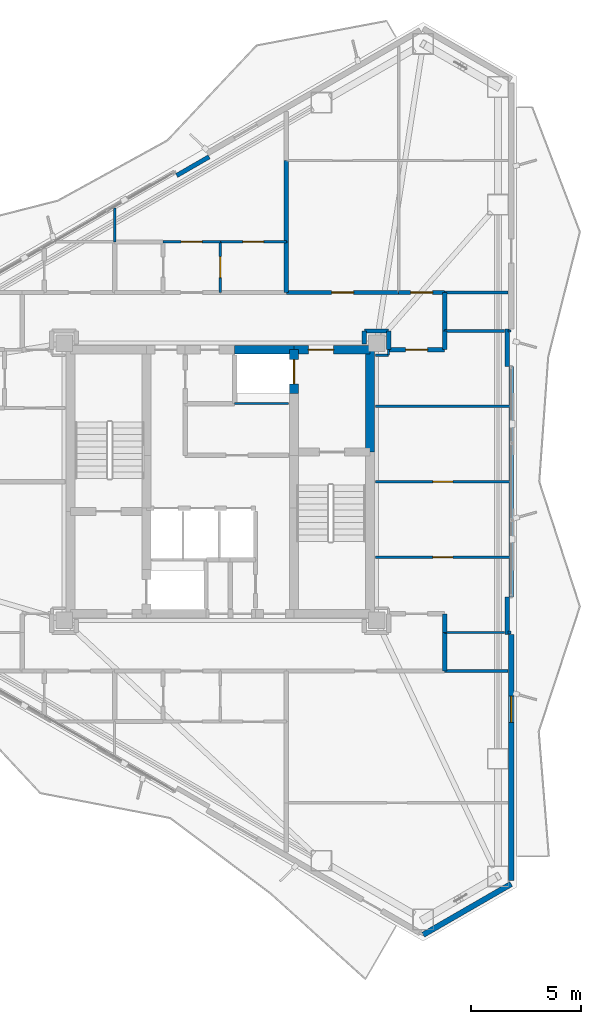
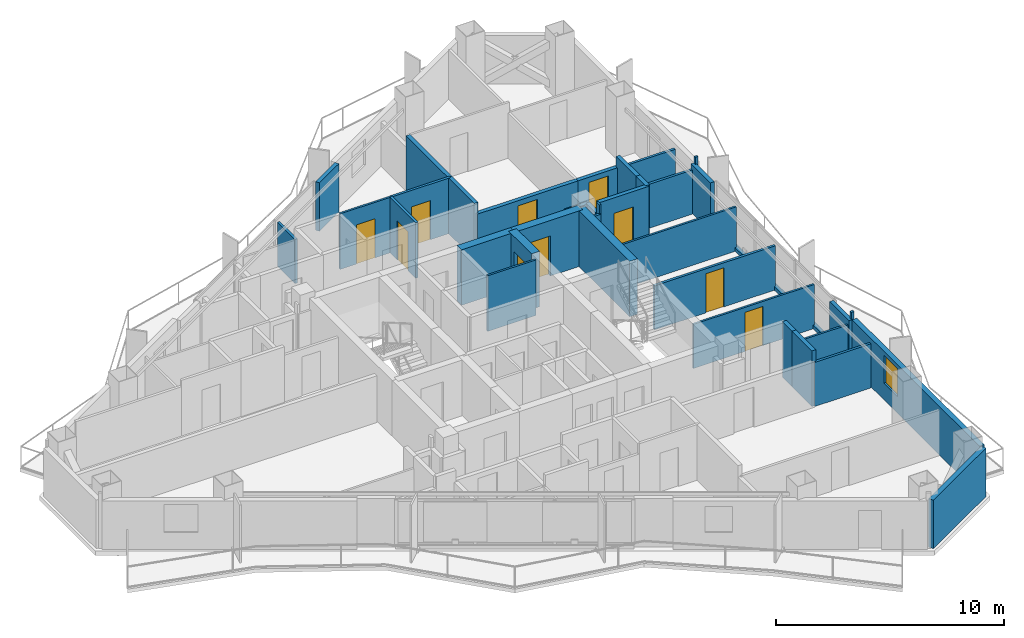
# One storey, part 15 of 18: 38 walls, 10 doors, 1 window, 11 openings.
"""IFC4 building model written with IfcOpenShell, lengths in metres."""

from ifc_helpers import new_model, si_unit, direction, frame, frame_2d, origin, place, context, subcontext, project, spatial, rectangle, extrude, material, layer, layer_set, type_object, element, fill, save


model = new_model("IFC4")

# Units and contexts
model_context = context("Model", 3, precision=1e-05, world=origin(), true_north=direction((0.0, 1.0)))
body_context = subcontext(model_context, "Body", "Model", "MODEL_VIEW")
ifc_project = project(units=[si_unit("LENGTHUNIT", "METRE"), si_unit("AREAUNIT", "SQUARE_METRE"), si_unit("VOLUMEUNIT", "CUBIC_METRE"), si_unit("PLANEANGLEUNIT", "RADIAN"), si_unit("MASSUNIT", "GRAM", prefix="KILO")], contexts=[model_context])

# Site, building, storey
site_placement = place(None, origin())
site = spatial("IfcSite", under=ifc_project, at=site_placement, CompositionType="ELEMENT")
building_placement = place(site_placement, origin())
building = spatial("IfcBuilding", under=site, at=building_placement, Name="Mersakhor Tower and Convention Hall", CompositionType="ELEMENT")
storey_placement = place(building_placement, frame((0.0, 0.0, 157.5)))
storey = spatial("IfcBuildingStorey", under=building, at=storey_placement, Name="L44", CompositionType="ELEMENT", Elevation=157.5)

# Wall
ifc_material_1 = material(Name="Precast concrete C40/50", Category="concrete")
ifc_layer_1 = layer(ifc_material_1, 0.25)
ifc_layer_set_1 = layer_set([ifc_layer_1], Name="Precast concrete C40/50")
wall_type_1 = type_object("IfcWallType", Name="WL-EXT-250", PredefinedType="SOLIDWALL", material=ifc_layer_set_1)
wall_1_placement = place(storey_placement, frame((42.21923828125, 8.470947265625, 0.0), z_axis=(0.0, 0.0, 1.0), x_axis=(-0.866035021055, -0.499983342029, 0.0)))
element("IfcWall", 1, at=wall_1_placement, inside=storey, type_object=wall_type_1, Name="L44 Chamfer Braced Spandrel Wall C2", PredefinedType="SOLIDWALL", context=body_context, shape_type="SweptSolid", body=[
    extrude(rectangle(XDim=4.617431640625, YDim=0.25, at=frame_2d((2.30859375, 0.0))), origin(), (0.0, 0.0, 1.0), 2.60009765625),
])

# Wall, opening, window
wall_2_placement = place(storey_placement, frame((42.21923828125, 19.806884765625, 0.0), z_axis=(0.0, 0.0, 1.0), x_axis=(0.0, -1.0, 0.0)))
wall_2 = element("IfcWall", 2, at=wall_2_placement, inside=storey, type_object=wall_type_1, Name="L44 Exterior Facade Wall F2-B3", PredefinedType="SOLIDWALL", context=body_context, shape_type="SweptSolid", body=[
    extrude(rectangle(XDim=11.185791015625, YDim=0.25, at=frame_2d((5.5927734375, 0.0))), origin(), (0.0, 0.0, 1.0), 2.60009765625),
])
opening_1_placement = place(wall_2_placement, frame((2.7958984375, 0.0, 0.89990234375)))
opening_1 = element("IfcOpeningElement", 3, at=opening_1_placement, cuts=wall_2, Name="Opening W-01", PredefinedType="OPENING", context=body_context, shape_type="SweptSolid", body=[
    extrude(rectangle(XDim=1.199951171875, YDim=1.5, at=frame_2d((0.60009765625, 0.75))), frame((0.0, 0.135009765625, 0.0), z_axis=(0.0, -1.0, 0.0), x_axis=(1.0, 0.0, 0.0)), (0.0, 0.0, 1.0), 0.27001953125),
])
ifc_material_2 = material(Name="Dark solar low-E glazed aluminium window", Category="aluminium")
window_type = type_object("IfcWindowType", Name="WN-RES-120x150", PartitioningType="SINGLE_PANEL", PredefinedType="WINDOW", material=ifc_material_2)
window_placement = place(opening_1_placement, origin())
window = element("IfcWindow", 4, at=window_placement, inside=storey, type_object=window_type, Name="L44 Facade Punched Window F2-B3", OverallHeight=1.5, OverallWidth=1.199951171875, PartitioningType="SINGLE_PANEL", PredefinedType="WINDOW", context=body_context, shape_type="SweptSolid", body=[
    extrude(rectangle(XDim=1.199951171875, YDim=1.5, at=frame_2d((0.60009765625, 0.75))), frame((0.0, 0.030029296875, 0.0), z_axis=(0.0, -1.0, 0.0), x_axis=(1.0, 0.0, 0.0)), (0.0, 0.0, 1.0), 0.06005859375),
])
fill(opening_1, window)

# Walls
ifc_material_3 = material(Name="Precast concrete C40/50", Category="concrete")
ifc_layer_2 = layer(ifc_material_3, 0.199951171875)
ifc_layer_set_2 = layer_set([ifc_layer_2], Name="Precast concrete C40/50")
wall_type_2 = type_object("IfcWallType", Name="WL-PAR-200", PredefinedType="PARAPET", material=ifc_layer_set_2)
wall_3_placement = place(storey_placement, frame((27.02099609375, 40.663818359375, 0.0), z_axis=(0.0, 0.0, 1.0), x_axis=(0.86605165483, 0.499954529098, 0.0)))
element("IfcWall", 5, at=wall_3_placement, inside=storey, type_object=wall_type_2, Name="L44 Column Pier Cladding Wall F1-C2", PredefinedType="PARAPET", context=body_context, shape_type="SweptSolid", body=[
    extrude(rectangle(XDim=1.699951171875, YDim=0.199951171875, at=frame_2d((0.85009765625, 0.0))), origin(), (0.0, 0.0, 1.0), 2.60009765625),
])
wall_4_placement = place(storey_placement, frame((42.21923828125, 31.992919921875, 0.0), z_axis=(0.0, 0.0, 1.0), x_axis=(0.0, -1.0, 0.0)))
element("IfcWall", 6, at=wall_4_placement, inside=storey, type_object=wall_type_2, Name="L44 Curtain Wall Upstand Sill F2-B2", PredefinedType="PARAPET", context=body_context, shape_type="SweptSolid", body=[
    extrude(rectangle(XDim=10.48583984375, YDim=0.199951171875, at=frame_2d((5.242919921875, 0.0))), origin(), (0.0, 0.0, 1.0), 0.199951171875),
])
for number, where, z_axis, x_axis, name in (
    (7, (42.039306640625, 33.693115234375, 0.0), (0.0, 0.0, 1.0), (0.0, -1.0, 0.0), "L44 Column Pier Cladding Wall F2-C1"),
    (8, (42.039306640625, 21.507080078125, 0.0), (0.0, 0.0, 1.0), (0.0, -1.0, 0.0), "L44 Column Pier Cladding Wall F2-C2"),
):
    element("IfcWall", number, at=place(storey_placement, frame(where, z_axis=z_axis, x_axis=x_axis)), inside=storey, type_object=wall_type_2, Name=name, PredefinedType="PARAPET", context=body_context, shape_type="SweptSolid", body=[
        extrude(rectangle(XDim=1.7001953125, YDim=0.199951171875, at=frame_2d((0.85009765625, 0.0))), origin(), (0.0, 0.0, 1.0), 2.60009765625),
    ])
ifc_material_4 = material(Name="Lightweight gypsum partition", Category="other")
ifc_layer_3 = layer(ifc_material_4, 0.10009765625)
ifc_layer_set_3 = layer_set([ifc_layer_3], Name="Lightweight gypsum partition")
wall_type_3 = type_object("IfcWallType", Name="WL-PRT-100", PredefinedType="PARTITIONING", material=ifc_layer_set_3)
wall_5_placement = place(storey_placement, frame((32.10009765625, 30.300048828125, 0.0), z_axis=(0.0, 0.0, 1.0), x_axis=(-1.0, 0.0, 0.0)))
element("IfcWall", 9, at=wall_5_placement, inside=storey, type_object=wall_type_3, Name="L44 Interior Partition Wall P-004", PredefinedType="PARTITIONING", context=body_context, shape_type="SweptSolid", body=[
    extrude(rectangle(XDim=2.4501953125, YDim=0.10009765625, at=frame_2d((1.22509765625, 0.0))), origin(), (0.0, 0.0, 1.0), 2.97998046875),
])

# Wall, opening, door
wall_6_placement = place(storey_placement, frame((26.39990234375, 37.64990234375, 0.0), z_axis=(0.0, 0.0, 1.0), x_axis=(1.0, 0.0, 0.0)))
wall_6 = element("IfcWall", 10, at=wall_6_placement, inside=storey, type_object=wall_type_3, Name="L44 Interior Partition Wall P-052", PredefinedType="PARTITIONING", context=body_context, shape_type="SweptSolid", body=[
    extrude(rectangle(XDim=2.60009765625, YDim=0.10009765625, at=frame_2d((1.300048828125, 0.0))), origin(), (0.0, 0.0, 1.0), 2.97998046875),
])
opening_2_placement = place(wall_6_placement, frame((0.824951171875, 0.0, 0.0)))
opening_2 = element("IfcOpeningElement", 11, at=opening_2_placement, cuts=wall_6, Name="Opening RD-01", PredefinedType="OPENING", context=body_context, shape_type="SweptSolid", body=[
    extrude(rectangle(XDim=0.949951171875, YDim=2.10009765625, at=frame_2d((0.47509765625, 1.050048828125))), frame((0.0, 0.06005859375, 0.0), z_axis=(0.0, -1.0, 0.0), x_axis=(1.0, 0.0, 0.0)), (0.0, 0.0, 1.0), 0.1201171875),
])
ifc_material_5 = material(Name="Solid-core hardwood leaf in painted steel frame", Category="steel")
door_type_1 = type_object("IfcDoorType", Name="DR-INT-RM-095x210", OperationType="NOTDEFINED", PredefinedType="DOOR", material=ifc_material_5)
door_1_placement = place(opening_2_placement, origin())
door_1 = element("IfcDoor", 12, at=door_1_placement, inside=storey, type_object=door_type_1, Name="L44 L44 Flat N2 Apartment Hall to L44 Flat N2 Studio Living and Sleeping Room Door", OperationType="SINGLE_SWING_LEFT", OverallHeight=2.10009765625, OverallWidth=0.949951171875, PredefinedType="DOOR", context=body_context, shape_type="SweptSolid", body=[
    extrude(rectangle(XDim=0.949951171875, YDim=2.10009765625, at=frame_2d((0.47509765625, 1.050048828125))), frame((0.0, 0.02490234375, 0.0), z_axis=(0.0, -1.0, 0.0), x_axis=(1.0, 0.0, 0.0)), (0.0, 0.0, 1.0), 0.050048828125),
])
fill(opening_2, door_1)

wall_7_placement = place(storey_placement, frame((36.050048828125, 23.320068359375, 0.0), z_axis=(0.0, 0.0, 1.0), x_axis=(1.0, 0.0, 0.0)))
wall_7 = element("IfcWall", 13, at=wall_7_placement, inside=storey, type_object=wall_type_3, Name="L44 Interior Partition Wall P-098", PredefinedType="PARTITIONING", context=body_context, shape_type="SweptSolid", body=[
    extrude(rectangle(XDim=6.131103515625, YDim=0.10009765625, at=frame_2d((3.0654296875, 0.0))), origin(), (0.0, 0.0, 1.0), 2.364990234375),
])
opening_3_placement = place(wall_7_placement, frame((2.615478515625, 0.0, 0.0)))
opening_3 = element("IfcOpeningElement", 14, at=opening_3_placement, cuts=wall_7, Name="Opening WD-01", PredefinedType="OPENING", context=body_context, shape_type="SweptSolid", body=[
    extrude(rectangle(XDim=0.89990234375, YDim=2.10009765625, at=frame_2d((0.449951171875, 1.050048828125))), frame((0.0, 0.06005859375, 0.0), z_axis=(0.0, -1.0, 0.0), x_axis=(1.0, 0.0, 0.0)), (0.0, 0.0, 1.0), 0.1201171875),
])
ifc_material_6 = material(Name="Solid-core hardwood leaf in painted steel frame", Category="steel")
door_type_2 = type_object("IfcDoorType", Name="DR-INT-WET-090x210", OperationType="NOTDEFINED", PredefinedType="DOOR", material=ifc_material_6)
door_2_placement = place(opening_3_placement, origin())
door_2 = element("IfcDoor", 15, at=door_2_placement, inside=storey, type_object=door_type_2, Name="L44 L44 East Wing Shared Study Room to L44 East Wing Shared Study Room Annex Door", OperationType="SINGLE_SWING_LEFT", OverallHeight=2.10009765625, OverallWidth=0.89990234375, PredefinedType="DOOR", context=body_context, shape_type="SweptSolid", body=[
    extrude(rectangle(XDim=0.89990234375, YDim=2.10009765625, at=frame_2d((0.449951171875, 1.050048828125))), frame((0.0, 0.02490234375, 0.0), z_axis=(0.0, -1.0, 0.0), x_axis=(1.0, 0.0, 0.0)), (0.0, 0.0, 1.0), 0.050048828125),
])
fill(opening_3, door_2)

# Walls
wall_8_placement = place(storey_placement, frame((41.915283203125, 19.89990234375, 0.0), z_axis=(0.0, 0.0, 1.0), x_axis=(-1.0, 0.0, 0.0)))
element("IfcWall", 16, at=wall_8_placement, inside=storey, type_object=wall_type_3, Name="L44 Interior Partition Wall P-100", PredefinedType="PARTITIONING", context=body_context, shape_type="SweptSolid", body=[
    extrude(rectangle(XDim=2.71533203125, YDim=0.10009765625, at=frame_2d((1.357666015625, 0.0))), origin(), (0.0, 0.0, 1.0), 2.364990234375),
])
wall_9_placement = place(storey_placement, frame((36.050048828125, 30.179931640625, 0.0), z_axis=(0.0, 0.0, 1.0), x_axis=(1.0, 0.0, 0.0)))
element("IfcWall", 17, at=wall_9_placement, inside=storey, type_object=wall_type_3, Name="L44 Interior Partition Wall P-102", PredefinedType="PARTITIONING", context=body_context, shape_type="SweptSolid", body=[
    extrude(rectangle(XDim=6.131103515625, YDim=0.10009765625, at=frame_2d((3.0654296875, 0.0))), origin(), (0.0, 0.0, 1.0), 2.364990234375),
])
wall_10_placement = place(storey_placement, frame((42.07421875, 33.60009765625, 0.0), z_axis=(0.0, 0.0, 1.0), x_axis=(1.0, 0.0, 0.0)))
element("IfcWall", 18, at=wall_10_placement, inside=storey, type_object=wall_type_3, Name="L44 Interior Partition Wall P-104", PredefinedType="PARTITIONING", context=body_context, shape_type="SweptSolid", body=[
    extrude(rectangle(XDim=0.144775390625, YDim=0.10009765625, at=frame_2d((0.072265625, 0.0))), origin(), (0.0, 0.0, 1.0), 2.97998046875),
])
wall_11_placement = place(storey_placement, frame((36.64990234375, 32.5, 0.0), z_axis=(0.0, 0.0, 1.0), x_axis=(0.0, 1.0, 0.0)))
element("IfcWall", 19, at=wall_11_placement, inside=storey, type_object=wall_type_3, Name="L44 Interior Partition Wall P-106", PredefinedType="PARTITIONING", context=body_context, shape_type="SweptSolid", body=[
    extrude(rectangle(XDim=0.25, YDim=0.10009765625, at=frame_2d((0.125, 0.0))), origin(), (0.0, 0.0, 1.0), 2.97998046875),
])

# Wall, opening, door
ifc_material_7 = material(Name="Gypsum board acoustic partition", Category="other")
ifc_layer_4 = layer(ifc_material_7, 0.125)
ifc_layer_set_4 = layer_set([ifc_layer_4], Name="Gypsum board acoustic partition")
wall_type_4 = type_object("IfcWallType", Name="WL-PRT-125", PredefinedType="PARTITIONING", material=ifc_layer_set_4)
wall_12_placement = place(storey_placement, frame((29.0, 37.64990234375, 0.0), z_axis=(0.0, 0.0, 1.0), x_axis=(0.0, -1.0, 0.0)))
wall_12 = element("IfcWall", 20, at=wall_12_placement, inside=storey, type_object=wall_type_4, Name="L44 Interior Partition Wall P-053", PredefinedType="PARTITIONING", context=body_context, shape_type="SweptSolid", body=[
    extrude(rectangle(XDim=2.2998046875, YDim=0.125, at=frame_2d((1.14990234375, 0.0))), origin(), (0.0, 0.0, 1.0), 2.97998046875),
])
opening_4_placement = place(wall_12_placement, frame((0.675048828125, 0.0, 0.0)))
opening_4 = element("IfcOpeningElement", 21, at=opening_4_placement, cuts=wall_12, Name="Opening RD-01", PredefinedType="OPENING", context=body_context, shape_type="SweptSolid", body=[
    extrude(rectangle(XDim=0.949951171875, YDim=2.10009765625, at=frame_2d((0.47509765625, 1.050048828125))), frame((0.0, 0.072509765625, 0.0), z_axis=(0.0, -1.0, 0.0), x_axis=(1.0, 0.0, 0.0)), (0.0, 0.0, 1.0), 0.14501953125),
])
door_3_placement = place(opening_4_placement, origin())
door_3 = element("IfcDoor", 22, at=door_3_placement, inside=storey, type_object=door_type_1, Name="L44 L44 Flat N2 Apartment Hall to L44 Flat N2 Kitchen Door", OperationType="SINGLE_SWING_RIGHT", OverallHeight=2.10009765625, OverallWidth=0.949951171875, PredefinedType="DOOR", context=body_context, shape_type="SweptSolid", body=[
    extrude(rectangle(XDim=0.949951171875, YDim=2.10009765625, at=frame_2d((0.47509765625, 1.050048828125))), frame((0.0, 0.02490234375, 0.0), z_axis=(0.0, -1.0, 0.0), x_axis=(1.0, 0.0, 0.0)), (0.0, 0.0, 1.0), 0.050048828125),
])
fill(opening_4, door_3)

wall_13_placement = place(storey_placement, frame((29.0, 37.64990234375, 0.0), z_axis=(0.0, 0.0, 1.0), x_axis=(1.0, 0.0, 0.0)))
wall_13 = element("IfcWall", 23, at=wall_13_placement, inside=storey, type_object=wall_type_4, Name="L44 Interior Partition Wall P-065", PredefinedType="PARTITIONING", context=body_context, shape_type="SweptSolid", body=[
    extrude(rectangle(XDim=3.0, YDim=0.125, at=frame_2d((1.5, 0.0))), origin(), (0.0, 0.0, 1.0), 2.97998046875),
])
opening_5_placement = place(wall_13_placement, frame((1.02490234375, 0.0, 0.0)))
opening_5 = element("IfcOpeningElement", 24, at=opening_5_placement, cuts=wall_13, Name="Opening RD-01", PredefinedType="OPENING", context=body_context, shape_type="SweptSolid", body=[
    extrude(rectangle(XDim=0.949951171875, YDim=2.10009765625, at=frame_2d((0.47509765625, 1.050048828125))), frame((0.0, 0.072509765625, 0.0), z_axis=(0.0, -1.0, 0.0), x_axis=(1.0, 0.0, 0.0)), (0.0, 0.0, 1.0), 0.14501953125),
])
door_4_placement = place(opening_5_placement, origin())
door_4 = element("IfcDoor", 25, at=door_4_placement, inside=storey, type_object=door_type_1, Name="L44 L44 Flat N2 Kitchen to L44 Flat N2 Studio Living and Sleeping Room Door", OperationType="SINGLE_SWING_LEFT", OverallHeight=2.10009765625, OverallWidth=0.949951171875, PredefinedType="DOOR", context=body_context, shape_type="SweptSolid", body=[
    extrude(rectangle(XDim=0.949951171875, YDim=2.10009765625, at=frame_2d((0.47509765625, 1.050048828125))), frame((0.0, 0.02490234375, 0.0), z_axis=(0.0, -1.0, 0.0), x_axis=(1.0, 0.0, 0.0)), (0.0, 0.0, 1.0), 0.050048828125),
])
fill(opening_5, door_4)

# Walls
for number, where, z_axis, x_axis, name in (
    (26, (42.0703125, 35.35009765625, 0.0), (0.0, 0.0, 1.0), (-1.0, 0.0, 0.0), "L44 Interior Partition Wall P-083"),
    (27, (39.199951171875, 18.14990234375, 0.0), (0.0, 0.0, 1.0), (1.0, 0.0, 0.0), "L44 Interior Partition Wall P-089"),
):
    element("IfcWall", number, at=place(storey_placement, frame(where, z_axis=z_axis, x_axis=x_axis)), inside=storey, type_object=wall_type_4, Name=name, PredefinedType="PARTITIONING", context=body_context, shape_type="SweptSolid", body=[
        extrude(rectangle(XDim=2.870361328125, YDim=0.125, at=frame_2d((1.43505859375, 0.0))), origin(), (0.0, 0.0, 1.0), 2.364990234375),
    ])
wall_14_placement = place(storey_placement, frame((42.218994140625, 19.89990234375, 0.0), z_axis=(0.0, 0.0, 1.0), x_axis=(-1.0, 0.0, 0.0)))
element("IfcWall", 28, at=wall_14_placement, inside=storey, type_object=wall_type_4, Name="L44 Interior Partition Wall P-099", PredefinedType="PARTITIONING", context=body_context, shape_type="SweptSolid", body=[
    extrude(rectangle(XDim=0.144775390625, YDim=0.125, at=frame_2d((0.072265625, 0.0))), origin(), (0.0, 0.0, 1.0), 2.97998046875),
])

# Wall, opening, door
wall_15_placement = place(storey_placement, frame((36.050048828125, 26.75, 0.0), z_axis=(0.0, 0.0, 1.0), x_axis=(1.0, 0.0, 0.0)))
wall_15 = element("IfcWall", 29, at=wall_15_placement, inside=storey, type_object=wall_type_4, Name="L44 Interior Partition Wall P-101", PredefinedType="PARTITIONING", context=body_context, shape_type="SweptSolid", body=[
    extrude(rectangle(XDim=6.131103515625, YDim=0.125, at=frame_2d((3.0654296875, 0.0))), origin(), (0.0, 0.0, 1.0), 2.364990234375),
])
opening_6_placement = place(wall_15_placement, frame((2.615478515625, 0.0, 0.0)))
opening_6 = element("IfcOpeningElement", 30, at=opening_6_placement, cuts=wall_15, Name="Opening WD-01", PredefinedType="OPENING", context=body_context, shape_type="SweptSolid", body=[
    extrude(rectangle(XDim=0.89990234375, YDim=2.10009765625, at=frame_2d((0.449951171875, 1.050048828125))), frame((0.0, 0.072509765625, 0.0), z_axis=(0.0, -1.0, 0.0), x_axis=(1.0, 0.0, 0.0)), (0.0, 0.0, 1.0), 0.14501953125),
])
door_5_placement = place(opening_6_placement, origin())
door_5 = element("IfcDoor", 31, at=door_5_placement, inside=storey, type_object=door_type_2, Name="L44 L44 East Wing Shared Study Room Annex to L44 East Wing Shared Study Room Annex Door", OperationType="SINGLE_SWING_RIGHT", OverallHeight=2.10009765625, OverallWidth=0.89990234375, PredefinedType="DOOR", context=body_context, shape_type="SweptSolid", body=[
    extrude(rectangle(XDim=0.89990234375, YDim=2.10009765625, at=frame_2d((0.449951171875, 1.050048828125))), frame((0.0, 0.02490234375, 0.0), z_axis=(0.0, -1.0, 0.0), x_axis=(1.0, 0.0, 0.0)), (0.0, 0.0, 1.0), 0.050048828125),
])
fill(opening_6, door_5)

# Walls
wall_16_placement = place(storey_placement, frame((39.199951171875, 33.60009765625, 0.0), z_axis=(0.0, 0.0, 1.0), x_axis=(1.0, 0.0, 0.0)))
element("IfcWall", 32, at=wall_16_placement, inside=storey, type_object=wall_type_4, Name="L44 Interior Partition Wall P-103", PredefinedType="PARTITIONING", context=body_context, shape_type="SweptSolid", body=[
    extrude(rectangle(XDim=2.71533203125, YDim=0.125, at=frame_2d((1.357666015625, 0.0))), origin(), (0.0, 0.0, 1.0), 2.364990234375),
])
wall_17_placement = place(storey_placement, frame((36.050048828125, 32.5, 0.0), z_axis=(0.0, 0.0, 1.0), x_axis=(1.0, 0.0, 0.0)))
element("IfcWall", 33, at=wall_17_placement, inside=storey, type_object=wall_type_4, Name="L44 Interior Partition Wall P-105", PredefinedType="PARTITIONING", context=body_context, shape_type="SweptSolid", body=[
    extrude(rectangle(XDim=0.599853515625, YDim=0.125, at=frame_2d((0.2998046875, 0.0))), origin(), (0.0, 0.0, 1.0), 2.5048828125),
])
wall_18_placement = place(storey_placement, frame((24.199951171875, 37.64990234375, 0.0), z_axis=(0.0, 0.0, 1.0), x_axis=(0.0, 1.0, 0.0)))
element("IfcWall", 34, at=wall_18_placement, inside=storey, type_object=wall_type_4, Name="L44 Interior Partition Wall P-111", PredefinedType="PARTITIONING", context=body_context, shape_type="SweptSolid", body=[
    extrude(rectangle(XDim=1.549072265625, YDim=0.125, at=frame_2d((0.7744140625, 0.0))), origin(), (0.0, 0.0, 1.0), 2.364990234375),
])
ifc_material_8 = material(Name="Acoustic concrete blockwork and gypsum board", Category="masonry")
ifc_layer_5 = layer(ifc_material_8, 0.199951171875)
ifc_layer_set_5 = layer_set([ifc_layer_5], Name="Acoustic concrete blockwork and gypsum board")
wall_type_5 = type_object("IfcWallType", Name="WL-PRT-200", PredefinedType="PARTITIONING", material=ifc_layer_set_5)
wall_19_placement = place(storey_placement, frame((35.550048828125, 33.60009765625, 0.0), z_axis=(0.0, 0.0, 1.0), x_axis=(0.0, -1.0, 0.0)))
element("IfcWall", 35, at=wall_19_placement, inside=storey, type_object=wall_type_5, Name="L44 Interior Partition Wall P-016", PredefinedType="PARTITIONING", context=body_context, shape_type="SweptSolid", body=[
    extrude(rectangle(XDim=0.60009765625, YDim=0.199951171875, at=frame_2d((0.300048828125, 0.0))), origin(), (0.0, 0.0, 1.0), 2.5048828125),
])

# Wall, opening, door
wall_20_placement = place(storey_placement, frame((32.0, 35.35009765625, 0.0), z_axis=(0.0, 0.0, 1.0), x_axis=(1.0, 0.0, 0.0)))
wall_20 = element("IfcWall", 36, at=wall_20_placement, inside=storey, type_object=wall_type_5, Name="L44 Interior Partition Wall P-027", PredefinedType="PARTITIONING", context=body_context, shape_type="SweptSolid", body=[
    extrude(rectangle(XDim=5.110107421875, YDim=0.199951171875, at=frame_2d((2.55517578125, 0.0))), origin(), (0.0, 0.0, 1.0), 2.42822265625),
])
opening_7_placement = place(wall_20_placement, frame((2.054931640625, 0.0, 0.0)))
opening_7 = element("IfcOpeningElement", 37, at=opening_7_placement, cuts=wall_20, Name="Opening FD-01", PredefinedType="OPENING", context=body_context, shape_type="SweptSolid", body=[
    extrude(rectangle(XDim=1.0, YDim=2.14990234375, at=frame_2d((0.5, 1.074951171875))), frame((0.0, 0.10986328125, 0.0), z_axis=(0.0, -1.0, 0.0), x_axis=(1.0, 0.0, 0.0)), (0.0, 0.0, 1.0), 0.219970703125),
])
ifc_material_9 = material(Name="Fire-rated hardwood leaf and painted steel frame", Category="steel")
door_type_3 = type_object("IfcDoorType", Name="DR-INT-FLT-100x215", OperationType="NOTDEFINED", PredefinedType="DOOR", material=ifc_material_9)
door_6_placement = place(opening_7_placement, origin())
door_6 = element("IfcDoor", 38, at=door_6_placement, inside=storey, type_object=door_type_3, Name="L44 Residential North Gallery Corridor to L44 North-East Residents Study Room Door", OperationType="SINGLE_SWING_RIGHT", OverallHeight=2.14990234375, OverallWidth=1.0, PredefinedType="DOOR", context=body_context, shape_type="SweptSolid", body=[
    extrude(rectangle(XDim=1.0, YDim=2.14990234375, at=frame_2d((0.5, 1.074951171875))), frame((0.0, 0.02490234375, 0.0), z_axis=(0.0, -1.0, 0.0), x_axis=(1.0, 0.0, 0.0)), (0.0, 0.0, 1.0), 0.050048828125),
])
fill(opening_7, door_6)

wall_21_placement = place(storey_placement, frame((37.110107421875, 35.35009765625, 0.0), z_axis=(0.0, 0.0, 1.0), x_axis=(1.0, 0.0, 0.0)))
wall_21 = element("IfcWall", 39, at=wall_21_placement, inside=storey, type_object=wall_type_5, Name="L44 Interior Partition Wall P-028", PredefinedType="PARTITIONING", context=body_context, shape_type="SweptSolid", body=[
    extrude(rectangle(XDim=2.08984375, YDim=0.199951171875, at=frame_2d((1.044921875, 0.0))), origin(), (0.0, 0.0, 1.0), 2.42822265625),
])
opening_8_placement = place(wall_21_placement, frame((0.544921875, 0.0, 0.0)))
opening_8 = element("IfcOpeningElement", 40, at=opening_8_placement, cuts=wall_21, Name="Opening FD-01", PredefinedType="OPENING", context=body_context, shape_type="SweptSolid", body=[
    extrude(rectangle(XDim=1.0, YDim=2.14990234375, at=frame_2d((0.5, 1.074951171875))), frame((0.0, 0.10986328125, 0.0), z_axis=(0.0, -1.0, 0.0), x_axis=(1.0, 0.0, 0.0)), (0.0, 0.0, 1.0), 0.219970703125),
])
door_7_placement = place(opening_8_placement, origin())
door_7 = element("IfcDoor", 41, at=door_7_placement, inside=storey, type_object=door_type_3, Name="L44 Residential North Gallery Corridor to L44 North-East Residents Study Room Annex Door", OperationType="SINGLE_SWING_LEFT", OverallHeight=2.14990234375, OverallWidth=1.0, PredefinedType="DOOR", context=body_context, shape_type="SweptSolid", body=[
    extrude(rectangle(XDim=1.0, YDim=2.14990234375, at=frame_2d((0.5, 1.074951171875))), frame((0.0, 0.02490234375, 0.0), z_axis=(0.0, -1.0, 0.0), x_axis=(1.0, 0.0, 0.0)), (0.0, 0.0, 1.0), 0.050048828125),
])
fill(opening_8, door_7)

# Walls
wall_22_placement = place(storey_placement, frame((39.199951171875, 35.35009765625, 0.0), z_axis=(0.0, 0.0, 1.0), x_axis=(0.0, -1.0, 0.0)))
element("IfcWall", 42, at=wall_22_placement, inside=storey, type_object=wall_type_5, Name="L44 Interior Partition Wall P-029", PredefinedType="PARTITIONING", context=body_context, shape_type="SweptSolid", body=[
    extrude(rectangle(XDim=1.75, YDim=0.199951171875, at=frame_2d((0.875, 0.0))), origin(), (0.0, 0.0, 1.0), 2.97998046875),
])
wall_23_placement = place(storey_placement, frame((39.199951171875, 33.60009765625, 0.0), z_axis=(0.0, 0.0, 1.0), x_axis=(0.0, -1.0, 0.0)))
element("IfcWall", 43, at=wall_23_placement, inside=storey, type_object=wall_type_5, Name="L44 Interior Partition Wall P-030", PredefinedType="PARTITIONING", context=body_context, shape_type="SweptSolid", body=[
    extrude(rectangle(XDim=0.85009765625, YDim=0.199951171875, at=frame_2d((0.425048828125, 0.0))), origin(), (0.0, 0.0, 1.0), 2.97998046875),
])

# Wall, opening, door
wall_24_placement = place(storey_placement, frame((39.199951171875, 32.75, 0.0), z_axis=(0.0, 0.0, 1.0), x_axis=(-1.0, 0.0, 0.0)))
wall_24 = element("IfcWall", 44, at=wall_24_placement, inside=storey, type_object=wall_type_5, Name="L44 Interior Partition Wall P-031", PredefinedType="PARTITIONING", context=body_context, shape_type="SweptSolid", body=[
    extrude(rectangle(XDim=2.550048828125, YDim=0.199951171875, at=frame_2d((1.27490234375, 0.0))), origin(), (0.0, 0.0, 1.0), 2.97998046875),
])
opening_9_placement = place(wall_24_placement, frame((0.77490234375, 0.0, 0.0)))
opening_9 = element("IfcOpeningElement", 45, at=opening_9_placement, cuts=wall_24, Name="Opening FD-01", PredefinedType="OPENING", context=body_context, shape_type="SweptSolid", body=[
    extrude(rectangle(XDim=1.0, YDim=2.14990234375, at=frame_2d((0.5, 1.074951171875))), frame((0.0, 0.10986328125, 0.0), z_axis=(0.0, -1.0, 0.0), x_axis=(1.0, 0.0, 0.0)), (0.0, 0.0, 1.0), 0.219970703125),
])
door_8_placement = place(opening_9_placement, origin())
door_8 = element("IfcDoor", 46, at=door_8_placement, inside=storey, type_object=door_type_3, Name="L44 Residential North Gallery Corridor to L44 East Wing Shared Study Room Annex Annex Door", OperationType="SINGLE_SWING_RIGHT", OverallHeight=2.14990234375, OverallWidth=1.0, PredefinedType="DOOR", context=body_context, shape_type="SweptSolid", body=[
    extrude(rectangle(XDim=1.0, YDim=2.14990234375, at=frame_2d((0.5, 1.074951171875))), frame((0.0, 0.02490234375, 0.0), z_axis=(0.0, -1.0, 0.0), x_axis=(1.0, 0.0, 0.0)), (0.0, 0.0, 1.0), 0.050048828125),
])
fill(opening_9, door_8)

# Walls
wall_25_placement = place(storey_placement, frame((36.64990234375, 32.75, 0.0), z_axis=(0.0, 0.0, 1.0), x_axis=(0.0, 1.0, 0.0)))
element("IfcWall", 47, at=wall_25_placement, inside=storey, type_object=wall_type_5, Name="L44 Interior Partition Wall P-032", PredefinedType="PARTITIONING", context=body_context, shape_type="SweptSolid", body=[
    extrude(rectangle(XDim=0.85009765625, YDim=0.199951171875, at=frame_2d((0.425048828125, 0.0))), origin(), (0.0, 0.0, 1.0), 2.42822265625),
])
wall_26_placement = place(storey_placement, frame((36.64990234375, 33.60009765625, 0.0), z_axis=(0.0, 0.0, 1.0), x_axis=(-1.0, 0.0, 0.0)))
element("IfcWall", 48, at=wall_26_placement, inside=storey, type_object=wall_type_5, Name="L44 Interior Partition Wall P-033", PredefinedType="PARTITIONING", context=body_context, shape_type="SweptSolid", body=[
    extrude(rectangle(XDim=1.099853515625, YDim=0.199951171875, at=frame_2d((0.5498046875, 0.0))), origin(), (0.0, 0.0, 1.0), 2.42822265625),
])
wall_27_placement = place(storey_placement, frame((39.199951171875, 20.75, 0.0), z_axis=(0.0, 0.0, 1.0), x_axis=(0.0, -1.0, 0.0)))
element("IfcWall", 49, at=wall_27_placement, inside=storey, type_object=wall_type_5, Name="L44 Interior Partition Wall P-039", PredefinedType="PARTITIONING", context=body_context, shape_type="SweptSolid", body=[
    extrude(rectangle(XDim=0.85009765625, YDim=0.199951171875, at=frame_2d((0.425048828125, 0.0))), origin(), (0.0, 0.0, 1.0), 2.97998046875),
])
wall_28_placement = place(storey_placement, frame((39.199951171875, 19.89990234375, 0.0), z_axis=(0.0, 0.0, 1.0), x_axis=(0.0, -1.0, 0.0)))
element("IfcWall", 50, at=wall_28_placement, inside=storey, type_object=wall_type_5, Name="L44 Interior Partition Wall P-040", PredefinedType="PARTITIONING", context=body_context, shape_type="SweptSolid", body=[
    extrude(rectangle(XDim=1.75, YDim=0.199951171875, at=frame_2d((0.875, 0.0))), origin(), (0.0, 0.0, 1.0), 2.97998046875),
])
wall_29_placement = place(storey_placement, frame((32.0, 37.64990234375, 0.0), z_axis=(0.0, 0.0, 1.0), x_axis=(0.0, -1.0, 0.0)))
element("IfcWall", 51, at=wall_29_placement, inside=storey, type_object=wall_type_5, Name="L44 Interior Partition Wall P-066", PredefinedType="PARTITIONING", context=body_context, shape_type="SweptSolid", body=[
    extrude(rectangle(XDim=2.2998046875, YDim=0.199951171875, at=frame_2d((1.14990234375, 0.0))), origin(), (0.0, 0.0, 1.0), 2.97998046875),
])
wall_30_placement = place(storey_placement, frame((32.0, 37.64990234375, 0.0), z_axis=(0.0, 0.0, 1.0), x_axis=(0.0, 1.0, 0.0)))
element("IfcWall", 52, at=wall_30_placement, inside=storey, type_object=wall_type_5, Name="L44 Interior Partition Wall P-079", PredefinedType="PARTITIONING", context=body_context, shape_type="SweptSolid", body=[
    extrude(rectangle(XDim=3.690185546875, YDim=0.199951171875, at=frame_2d((1.84521484375, 0.0))), origin(), (0.0, 0.0, 1.0), 2.97998046875),
])
ifc_material_10 = material(Name="Concrete C60/75", Category="concrete")
ifc_layer_6 = layer(ifc_material_10, 0.39990234375)
ifc_layer_set_6 = layer_set([ifc_layer_6], Name="Concrete C60/75")
wall_type_6 = type_object("IfcWallType", Name="WL-SHR-400", PredefinedType="SHEAR", material=ifc_layer_set_6)
wall_31_placement = place(storey_placement, frame((29.64990234375, 32.75, 0.0), z_axis=(0.0, 0.0, 1.0), x_axis=(1.0, 0.0, 0.0)))
element("IfcWall", 53, at=wall_31_placement, inside=storey, type_object=wall_type_6, Name="L44 Core Wall CW-N3", PredefinedType="SHEAR", context=body_context, shape_type="SweptSolid", body=[
    extrude(rectangle(XDim=2.7001953125, YDim=0.39990234375, at=frame_2d((1.35009765625, 0.0))), origin(), (0.0, 0.0, 1.0), 2.97998046875),
])

# Wall, opening, door
wall_32_placement = place(storey_placement, frame((32.35009765625, 32.75, 0.0), z_axis=(0.0, 0.0, 1.0), x_axis=(1.0, 0.0, 0.0)))
wall_32 = element("IfcWall", 54, at=wall_32_placement, inside=storey, type_object=wall_type_6, Name="L44 Core Wall CW-N4", PredefinedType="SHEAR", context=body_context, shape_type="SweptSolid", body=[
    extrude(rectangle(XDim=3.449951171875, YDim=0.39990234375, at=frame_2d((1.72509765625, 0.0))), origin(), (0.0, 0.0, 1.0), 2.97998046875),
])
opening_10_placement = place(wall_32_placement, frame((0.64990234375, 0.0, 0.0)))
opening_10 = element("IfcOpeningElement", 55, at=opening_10_placement, cuts=wall_32, Name="Opening SD-01", PredefinedType="OPENING", context=body_context, shape_type="SweptSolid", body=[
    extrude(rectangle(XDim=1.14990234375, YDim=2.14990234375, at=frame_2d((0.574951171875, 1.074951171875))), frame((0.0, 0.2099609375, 0.0), z_axis=(0.0, -1.0, 0.0), x_axis=(1.0, 0.0, 0.0)), (0.0, 0.0, 1.0), 0.419921875),
])
ifc_material_11 = material(Name="Fire-rated hardwood leaf and painted steel frame", Category="steel")
door_type_4 = type_object("IfcDoorType", Name="DR-INT-STAIR-115x215", OperationType="NOTDEFINED", PredefinedType="DOOR", material=ifc_material_11)
door_9_placement = place(opening_10_placement, origin())
door_9 = element("IfcDoor", 56, at=door_9_placement, inside=storey, type_object=door_type_4, Name="L44 Firefighting Lobby East Fire Door", OperationType="SINGLE_SWING_RIGHT", OverallHeight=2.14990234375, OverallWidth=1.14990234375, PredefinedType="DOOR", context=body_context, shape_type="SweptSolid", body=[
    extrude(rectangle(XDim=1.14990234375, YDim=2.14990234375, at=frame_2d((0.574951171875, 1.074951171875))), frame((0.0, 0.02490234375, 0.0), z_axis=(0.0, -1.0, 0.0), x_axis=(1.0, 0.0, 0.0)), (0.0, 0.0, 1.0), 0.050048828125),
])
fill(opening_10, door_9)

# Wall
wall_33_placement = place(storey_placement, frame((35.800048828125, 32.75, 0.0), z_axis=(0.0, 0.0, 1.0), x_axis=(0.0, -1.0, 0.0)))
element("IfcWall", 57, at=wall_33_placement, inside=storey, type_object=wall_type_6, Name="L44 Core Wall CW-E1", PredefinedType="SHEAR", context=body_context, shape_type="SweptSolid", body=[
    extrude(rectangle(XDim=4.64990234375, YDim=0.39990234375, at=frame_2d((2.324951171875, 0.0))), origin(), (0.0, 0.0, 1.0), 2.97998046875),
])

# Wall, opening, door
wall_34_placement = place(storey_placement, frame((32.35009765625, 30.75, 0.0), z_axis=(0.0, 0.0, 1.0), x_axis=(0.0, 1.0, 0.0)))
wall_34 = element("IfcWall", 58, at=wall_34_placement, inside=storey, type_object=wall_type_6, Name="L44 Core Wall CS-E-FFL", PredefinedType="SHEAR", context=body_context, shape_type="SweptSolid", body=[
    extrude(rectangle(XDim=2.0, YDim=0.39990234375, at=frame_2d((1.0, 0.0))), origin(), (0.0, 0.0, 1.0), 2.97998046875),
])
opening_11_placement = place(wall_34_placement, frame((0.449951171875, 0.0, 0.0)))
opening_11 = element("IfcOpeningElement", 59, at=opening_11_placement, cuts=wall_34, Name="Opening LD-FFL2", PredefinedType="OPENING", context=body_context, shape_type="SweptSolid", body=[
    extrude(rectangle(XDim=1.10009765625, YDim=2.14990234375, at=frame_2d((0.550048828125, 1.074951171875))), frame((0.0, 0.2099609375, 0.0), z_axis=(0.0, -1.0, 0.0), x_axis=(1.0, 0.0, 0.0)), (0.0, 0.0, 1.0), 0.419921875),
])
ifc_material_12 = material(Name="Fire-rated brushed stainless steel sliding landing door", Category="steel")
door_type_5 = type_object("IfcDoorType", Name="DR-LIFT-SLD-110x215", OperationType="NOTDEFINED", PredefinedType="DOOR", material=ifc_material_12)
door_10_placement = place(opening_11_placement, origin())
door_10 = element("IfcDoor", 60, at=door_10_placement, inside=storey, type_object=door_type_5, Name="L44 Firefighting Lift Landing Door LD-FFL2", OperationType="SLIDING_TO_LEFT", OverallHeight=2.14990234375, OverallWidth=1.10009765625, PredefinedType="DOOR", context=body_context, shape_type="SweptSolid", body=[
    extrude(rectangle(XDim=1.10009765625, YDim=2.14990234375, at=frame_2d((0.550048828125, 1.074951171875))), frame((0.0, 0.02490234375, 0.0), z_axis=(0.0, -1.0, 0.0), x_axis=(1.0, 0.0, 0.0)), (0.0, 0.0, 1.0), 0.050048828125),
])
fill(opening_11, door_10)

save(model, "model.ifc")
